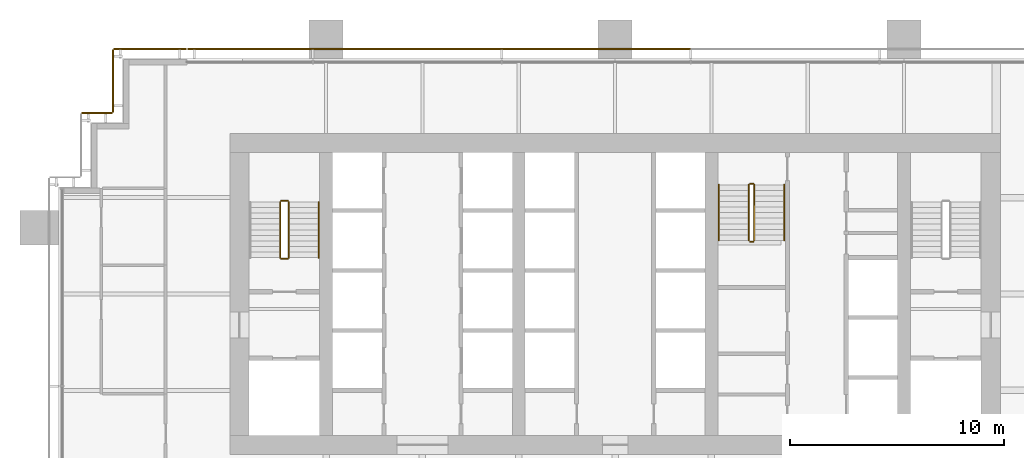
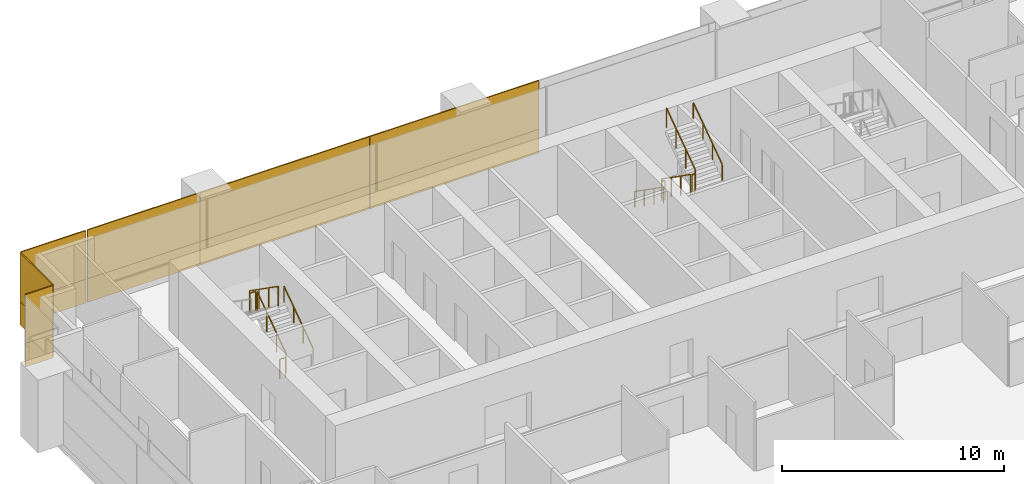
# One storey, part 18 of 19: 12 coverings, 11 railings.
"""IFC4 building model written with IfcOpenShell, lengths in metres."""

from ifc_helpers import new_model, si_unit, direction, frame, origin, origin_2d, place, context, subcontext, project, spatial, rectangle, extrude, material, layer, layer_set, type_object, element, save


model = new_model("IFC4")

# Units and contexts
model_context = context("Model", 3, precision=1e-05, world=origin(), true_north=direction((0.0, 1.0)))
body_context = subcontext(model_context, "Body", "Model", "MODEL_VIEW")
ifc_project = project(units=[si_unit("LENGTHUNIT", "METRE"), si_unit("AREAUNIT", "SQUARE_METRE"), si_unit("VOLUMEUNIT", "CUBIC_METRE"), si_unit("PLANEANGLEUNIT", "RADIAN"), si_unit("MASSUNIT", "GRAM", prefix="KILO")], contexts=[model_context])

# Site, building, storey
site_placement = place(None, origin())
site = spatial("IfcSite", under=ifc_project, at=site_placement, CompositionType="ELEMENT")
building_placement = place(site_placement, origin())
building = spatial("IfcBuilding", under=site, at=building_placement, Name="Rattan Terrace Tower", CompositionType="ELEMENT")
storey_placement = place(building_placement, frame((0.0, 0.0, 87.699951171875)))
storey = spatial("IfcBuildingStorey", under=building, at=storey_placement, Name="L19", CompositionType="ELEMENT", Elevation=87.699951171875)

# Railings
ifc_material_1 = material(Name="Powder-coated steel guard", Category="steel")
railing_type_1 = type_object("IfcRailingType", Name="Core stair guard", PredefinedType="GUARDRAIL", material=ifc_material_1)
railing_1_placement = place(storey_placement, frame((-15.25, 1.699951171875, 0.181884765625)))
element("IfcRailing", 1, at=railing_1_placement, inside=storey, type_object=railing_type_1, Name="L19 S1 stair guard 1", PredefinedType="GUARDRAIL", context=body_context, shape_type="SweptSolid", body=[
    extrude(rectangle(XDim=0.048095703125, YDim=0.048095703125, at=origin_2d()), frame((0.0, 0.0, 1.076171875), z_axis=(0.0, 0.819521025635, 0.573049115296), x_axis=(-1.0, 0.0, 0.0)), (0.0, 0.0, 1.0), 3.172607421875),
    extrude(rectangle(XDim=0.0419921875, YDim=0.0419921875, at=origin_2d()), origin(), (0.0, 0.0, 1.0), 1.052001953125),
    extrude(rectangle(XDim=0.0419921875, YDim=0.0419921875, at=origin_2d()), frame((0.0, 0.86669921875, 0.60595703125)), (0.0, 0.0, 1.0), 1.052001953125),
    extrude(rectangle(XDim=0.0419921875, YDim=0.0419921875, at=origin_2d()), frame((0.0, 1.7333984375, 1.212158203125)), (0.0, 0.0, 1.0), 1.052001953125),
    extrude(rectangle(XDim=0.0419921875, YDim=0.0419921875, at=origin_2d()), frame((0.0, 2.60009765625, 1.818115234375)), (0.0, 0.0, 1.0), 1.052001953125),
])
railing_2_placement = place(storey_placement, frame((-15.300048828125, 4.35009765625, 2.0)))
element("IfcRailing", 2, at=railing_2_placement, inside=storey, type_object=railing_type_1, Name="L19 S1 stair guard 2", PredefinedType="GUARDRAIL", context=body_context, shape_type="SweptSolid", body=[
    extrude(rectangle(XDim=0.048095703125, YDim=0.048095703125, at=origin_2d()), frame((0.0, 0.0, 1.076171875), z_axis=(-1.0, 0.0, 0.0), x_axis=(0.0, -1.0, 0.0)), (0.0, 0.0, 1.0), 0.300048828125),
    extrude(rectangle(XDim=0.0419921875, YDim=0.0419921875, at=origin_2d()), origin(), (0.0, 0.0, 1.0), 1.052001953125),
    extrude(rectangle(XDim=0.0419921875, YDim=0.0419921875, at=origin_2d()), frame((-0.300048828125, 0.0, 0.0)), (0.0, 0.0, 1.0), 1.052001953125),
])
railing_3_placement = place(storey_placement, frame((-15.64990234375, 4.300048828125, 2.181884765625)))
element("IfcRailing", 3, at=railing_3_placement, inside=storey, type_object=railing_type_1, Name="L19 S1 stair guard 3", PredefinedType="GUARDRAIL", context=body_context, shape_type="SweptSolid", body=[
    extrude(rectangle(XDim=0.048095703125, YDim=0.048095703125, at=origin_2d()), frame((0.0, 0.0, 1.076171875), z_axis=(0.0, -0.819521025635, 0.573049115296), x_axis=(1.0, 0.0, 0.0)), (0.0, 0.0, 1.0), 3.172607421875),
    extrude(rectangle(XDim=0.0419921875, YDim=0.0419921875, at=origin_2d()), origin(), (0.0, 0.0, 1.0), 1.052001953125),
    extrude(rectangle(XDim=0.0419921875, YDim=0.0419921875, at=origin_2d()), frame((0.0, -0.86669921875, 0.60595703125)), (0.0, 0.0, 1.0), 1.052001953125),
    extrude(rectangle(XDim=0.0419921875, YDim=0.0419921875, at=origin_2d()), frame((0.0, -1.7333984375, 1.212158203125)), (0.0, 0.0, 1.0), 1.052001953125),
    extrude(rectangle(XDim=0.0419921875, YDim=0.0419921875, at=origin_2d()), frame((0.0, -2.60009765625, 1.818115234375)), (0.0, 0.0, 1.0), 1.052001953125),
])
railing_4_placement = place(storey_placement, frame((-15.300048828125, 1.64990234375, 0.0)))
element("IfcRailing", 4, at=railing_4_placement, inside=storey, type_object=railing_type_1, Name="L19 S1 stair guard 4", PredefinedType="GUARDRAIL", context=body_context, shape_type="SweptSolid", body=[
    extrude(rectangle(XDim=0.048095703125, YDim=0.048095703125, at=origin_2d()), frame((0.0, 0.0, 1.076171875), z_axis=(-1.0, 0.0, 0.0), x_axis=(0.0, -1.0, 0.0)), (0.0, 0.0, 1.0), 0.300048828125),
    extrude(rectangle(XDim=0.0419921875, YDim=0.0419921875, at=origin_2d()), origin(), (0.0, 0.0, 1.0), 1.052001953125),
    extrude(rectangle(XDim=0.0419921875, YDim=0.0419921875, at=origin_2d()), frame((-0.300048828125, 0.0, 0.0)), (0.0, 0.0, 1.0), 1.052001953125),
])
railing_5_placement = place(storey_placement, frame((6.25, 5.10009765625, 0.181884765625)))
element("IfcRailing", 5, at=railing_5_placement, inside=storey, type_object=railing_type_1, Name="L19 S3 stair guard 1", PredefinedType="GUARDRAIL", context=body_context, shape_type="SweptSolid", body=[
    extrude(rectangle(XDim=0.048095703125, YDim=0.048095703125, at=origin_2d()), frame((0.0, 0.0, 1.076171875), z_axis=(0.0, -0.819521025635, 0.573049115296), x_axis=(1.0, 0.0, 0.0)), (0.0, 0.0, 1.0), 3.172607421875),
    extrude(rectangle(XDim=0.0419921875, YDim=0.0419921875, at=origin_2d()), origin(), (0.0, 0.0, 1.0), 1.052001953125),
    extrude(rectangle(XDim=0.0419921875, YDim=0.0419921875, at=origin_2d()), frame((0.0, -0.86669921875, 0.60595703125)), (0.0, 0.0, 1.0), 1.052001953125),
    extrude(rectangle(XDim=0.0419921875, YDim=0.0419921875, at=origin_2d()), frame((0.0, -1.7333984375, 1.212158203125)), (0.0, 0.0, 1.0), 1.052001953125),
    extrude(rectangle(XDim=0.0419921875, YDim=0.0419921875, at=origin_2d()), frame((0.0, -2.60009765625, 1.818115234375)), (0.0, 0.0, 1.0), 1.052001953125),
])
railing_6_placement = place(storey_placement, frame((6.300048828125, 2.449951171875, 2.0)))
element("IfcRailing", 6, at=railing_6_placement, inside=storey, type_object=railing_type_1, Name="L19 S3 stair guard 2", PredefinedType="GUARDRAIL", context=body_context, shape_type="SweptSolid", body=[
    extrude(rectangle(XDim=0.048095703125, YDim=0.048095703125, at=origin_2d()), frame((0.0, 0.0, 1.076171875), z_axis=(1.0, 0.0, 0.0), x_axis=(0.0, 1.0, 0.0)), (0.0, 0.0, 1.0), 0.14990234375),
    extrude(rectangle(XDim=0.0419921875, YDim=0.0419921875, at=origin_2d()), origin(), (0.0, 0.0, 1.0), 1.052001953125),
    extrude(rectangle(XDim=0.0419921875, YDim=0.0419921875, at=origin_2d()), frame((0.14990234375, 0.0, 0.0)), (0.0, 0.0, 1.0), 1.052001953125),
])
railing_7_placement = place(storey_placement, frame((6.5, 2.5, 2.181884765625)))
element("IfcRailing", 7, at=railing_7_placement, inside=storey, type_object=railing_type_1, Name="L19 S3 stair guard 3", PredefinedType="GUARDRAIL", context=body_context, shape_type="SweptSolid", body=[
    extrude(rectangle(XDim=0.048095703125, YDim=0.048095703125, at=origin_2d()), frame((0.0, 0.0, 1.076171875), z_axis=(0.0, 0.819521025635, 0.573049115296), x_axis=(-1.0, 0.0, 0.0)), (0.0, 0.0, 1.0), 3.172607421875),
    extrude(rectangle(XDim=0.0419921875, YDim=0.0419921875, at=origin_2d()), origin(), (0.0, 0.0, 1.0), 1.052001953125),
    extrude(rectangle(XDim=0.0419921875, YDim=0.0419921875, at=origin_2d()), frame((0.0, 0.86669921875, 0.60595703125)), (0.0, 0.0, 1.0), 1.052001953125),
    extrude(rectangle(XDim=0.0419921875, YDim=0.0419921875, at=origin_2d()), frame((0.0, 1.7333984375, 1.212158203125)), (0.0, 0.0, 1.0), 1.052001953125),
    extrude(rectangle(XDim=0.0419921875, YDim=0.0419921875, at=origin_2d()), frame((0.0, 2.60009765625, 1.818115234375)), (0.0, 0.0, 1.0), 1.052001953125),
])
railing_8_placement = place(storey_placement, frame((6.300048828125, 5.14990234375, 0.0)))
element("IfcRailing", 8, at=railing_8_placement, inside=storey, type_object=railing_type_1, Name="L19 S3 stair guard 4", PredefinedType="GUARDRAIL", context=body_context, shape_type="SweptSolid", body=[
    extrude(rectangle(XDim=0.048095703125, YDim=0.048095703125, at=origin_2d()), frame((0.0, 0.0, 1.076171875), z_axis=(1.0, 0.0, 0.0), x_axis=(0.0, 1.0, 0.0)), (0.0, 0.0, 1.0), 0.14990234375),
    extrude(rectangle(XDim=0.0419921875, YDim=0.0419921875, at=origin_2d()), origin(), (0.0, 0.0, 1.0), 1.052001953125),
    extrude(rectangle(XDim=0.0419921875, YDim=0.0419921875, at=origin_2d()), frame((0.14990234375, 0.0, 0.0)), (0.0, 0.0, 1.0), 1.052001953125),
])
ifc_material_2 = material(Name="Powder-coated steel handrail", Category="steel")
railing_type_2 = type_object("IfcRailingType", Name="Core stair handrail", PredefinedType="HANDRAIL", material=ifc_material_2)
railing_9_placement = place(storey_placement, frame((-13.85009765625, 1.699951171875, 0.181884765625)))
element("IfcRailing", 9, at=railing_9_placement, inside=storey, type_object=railing_type_2, Name="L19 S1 stair handrail 1", PredefinedType="HANDRAIL", context=body_context, shape_type="SweptSolid", body=[
    extrude(rectangle(XDim=0.048095703125, YDim=0.048095703125, at=origin_2d()), frame((0.0, 0.0, 0.8759765625), z_axis=(0.0, 0.819521025635, 0.573049115296), x_axis=(-1.0, 0.0, 0.0)), (0.0, 0.0, 1.0), 3.172607421875),
    extrude(rectangle(XDim=0.0419921875, YDim=0.0419921875, at=origin_2d()), origin(), (0.0, 0.0, 1.0), 0.851806640625),
    extrude(rectangle(XDim=0.0419921875, YDim=0.0419921875, at=origin_2d()), frame((0.0, 0.86669921875, 0.60595703125)), (0.0, 0.0, 1.0), 0.851806640625),
    extrude(rectangle(XDim=0.0419921875, YDim=0.0419921875, at=origin_2d()), frame((0.0, 1.7333984375, 1.212158203125)), (0.0, 0.0, 1.0), 0.851806640625),
    extrude(rectangle(XDim=0.0419921875, YDim=0.0419921875, at=origin_2d()), frame((0.0, 2.60009765625, 1.818115234375)), (0.0, 0.0, 1.0), 0.851806640625),
])
railing_10_placement = place(storey_placement, frame((4.85009765625, 5.10009765625, 0.181884765625)))
element("IfcRailing", 10, at=railing_10_placement, inside=storey, type_object=railing_type_2, Name="L19 S3 stair handrail 1", PredefinedType="HANDRAIL", context=body_context, shape_type="SweptSolid", body=[
    extrude(rectangle(XDim=0.048095703125, YDim=0.048095703125, at=origin_2d()), frame((0.0, 0.0, 0.8759765625), z_axis=(0.0, -0.819521025635, 0.573049115296), x_axis=(1.0, 0.0, 0.0)), (0.0, 0.0, 1.0), 3.172607421875),
    extrude(rectangle(XDim=0.0419921875, YDim=0.0419921875, at=origin_2d()), origin(), (0.0, 0.0, 1.0), 0.851806640625),
    extrude(rectangle(XDim=0.0419921875, YDim=0.0419921875, at=origin_2d()), frame((0.0, -0.86669921875, 0.60595703125)), (0.0, 0.0, 1.0), 0.851806640625),
    extrude(rectangle(XDim=0.0419921875, YDim=0.0419921875, at=origin_2d()), frame((0.0, -1.7333984375, 1.212158203125)), (0.0, 0.0, 1.0), 0.851806640625),
    extrude(rectangle(XDim=0.0419921875, YDim=0.0419921875, at=origin_2d()), frame((0.0, -2.60009765625, 1.818115234375)), (0.0, 0.0, 1.0), 0.851806640625),
])
railing_11_placement = place(storey_placement, frame((7.89990234375, 2.5, 2.181884765625)))
element("IfcRailing", 11, at=railing_11_placement, inside=storey, type_object=railing_type_2, Name="L19 S3 stair handrail 2", PredefinedType="HANDRAIL", context=body_context, shape_type="SweptSolid", body=[
    extrude(rectangle(XDim=0.048095703125, YDim=0.048095703125, at=origin_2d()), frame((0.0, 0.0, 0.8759765625), z_axis=(0.0, 0.819521025635, 0.573049115296), x_axis=(-1.0, 0.0, 0.0)), (0.0, 0.0, 1.0), 3.172607421875),
    extrude(rectangle(XDim=0.0419921875, YDim=0.0419921875, at=origin_2d()), origin(), (0.0, 0.0, 1.0), 0.851806640625),
    extrude(rectangle(XDim=0.0419921875, YDim=0.0419921875, at=origin_2d()), frame((0.0, 0.86669921875, 0.60595703125)), (0.0, 0.0, 1.0), 0.851806640625),
    extrude(rectangle(XDim=0.0419921875, YDim=0.0419921875, at=origin_2d()), frame((0.0, 1.7333984375, 1.212158203125)), (0.0, 0.0, 1.0), 0.851806640625),
    extrude(rectangle(XDim=0.0419921875, YDim=0.0419921875, at=origin_2d()), frame((0.0, 2.60009765625, 1.818115234375)), (0.0, 0.0, 1.0), 0.851806640625),
])

# Coverings
ifc_material_3 = material(Name="Solid terracotta", Category="masonry")
ifc_layer_1 = layer(ifc_material_3, 0.06005859375)
ifc_layer_set_1 = layer_set([ifc_layer_1], Name="Facade Terracotta Band Panel")
covering_type_1 = type_object("IfcCoveringType", Name="Facade Terracotta Band Panel", PredefinedType="CLADDING", material=ifc_layer_set_1)
for number, where, z_axis, x_axis, name in (
    (12, (-0.880615234375, 11.449951171875, -0.18994140625), (0.0, 0.0, 1.0), (-1.0, 0.0, 0.0), "OUTER SKIN panel L19-18A"),
    (13, (-9.70361328125, 11.449951171875, -0.18994140625), (0.0, 0.0, 1.0), (-1.0, 0.0, 0.0), "OUTER SKIN panel L19-19A"),
):
    element("IfcCovering", number, at=place(storey_placement, frame(where, z_axis=z_axis, x_axis=x_axis)), inside=storey, type_object=covering_type_1, Name=name, PredefinedType="CLADDING", context=body_context, shape_type="SweptSolid", body=[
        extrude(rectangle(XDim=8.802978515625, YDim=0.06005859375, at=origin_2d()), origin(), (0.0, 0.0, 1.0), 1.300048828125),
    ])
covering_1_placement = place(storey_placement, frame((-17.04248046875, 11.449951171875, -0.18994140625), z_axis=(0.0, 0.0, 1.0), x_axis=(-1.0, 0.0, 0.0)))
element("IfcCovering", 14, at=covering_1_placement, inside=storey, type_object=covering_type_1, Name="OUTER SKIN panel L19-20A", PredefinedType="CLADDING", context=body_context, shape_type="SweptSolid", body=[
    extrude(rectangle(XDim=5.8349609375, YDim=0.06005859375, at=origin_2d()), origin(), (0.0, 0.0, 1.0), 1.300048828125),
])
covering_2_placement = place(storey_placement, frame((-21.72509765625, 11.449951171875, -0.18994140625), z_axis=(0.0, 0.0, 1.0), x_axis=(-1.0, 0.0, 0.0)))
element("IfcCovering", 15, at=covering_2_placement, inside=storey, type_object=covering_type_1, Name="OUTER SKIN panel L19-21A", PredefinedType="CLADDING", context=body_context, shape_type="SweptSolid", body=[
    extrude(rectangle(XDim=3.3701171875, YDim=0.06005859375, at=origin_2d()), origin(), (0.0, 0.0, 1.0), 1.300048828125),
])
covering_3_placement = place(storey_placement, frame((-23.449951171875, 9.949951171875, -0.18994140625), z_axis=(0.0, 0.0, 1.0), x_axis=(0.0, -1.0, 0.0)))
element("IfcCovering", 16, at=covering_3_placement, inside=storey, type_object=covering_type_1, Name="OUTER SKIN panel L19-22A", PredefinedType="CLADDING", context=body_context, shape_type="SweptSolid", body=[
    extrude(rectangle(XDim=2.919921875, YDim=0.06005859375, at=origin_2d()), origin(), (0.0, 0.0, 1.0), 1.300048828125),
])
covering_4_placement = place(storey_placement, frame((-24.199951171875, 8.449951171875, -0.18994140625), z_axis=(0.0, 0.0, 1.0), x_axis=(-1.0, 0.0, 0.0)))
element("IfcCovering", 17, at=covering_4_placement, inside=storey, type_object=covering_type_1, Name="OUTER SKIN panel L19-23A", PredefinedType="CLADDING", context=body_context, shape_type="SweptSolid", body=[
    extrude(rectangle(XDim=1.419921875, YDim=0.06005859375, at=origin_2d()), origin(), (0.0, 0.0, 1.0), 1.300048828125),
])
ifc_material_4 = material(Name="Perforated terracotta", Category="masonry")
ifc_layer_2 = layer(ifc_material_4, 0.06005859375)
ifc_layer_set_2 = layer_set([ifc_layer_2], Name="Facade Terracotta Screen Panel")
covering_type_2 = type_object("IfcCoveringType", Name="Facade Terracotta Screen Panel", PredefinedType="CLADDING", material=ifc_layer_set_2)
for number, where, z_axis, x_axis, name in (
    (18, (-0.880615234375, 11.449951171875, 1.10986328125), (0.0, 0.0, 1.0), (-1.0, 0.0, 0.0), "OUTER SKIN panel L19-18B"),
    (19, (-9.70361328125, 11.449951171875, 1.10986328125), (0.0, 0.0, 1.0), (-1.0, 0.0, 0.0), "OUTER SKIN panel L19-19B"),
):
    element("IfcCovering", number, at=place(storey_placement, frame(where, z_axis=z_axis, x_axis=x_axis)), inside=storey, type_object=covering_type_2, Name=name, PredefinedType="CLADDING", context=body_context, shape_type="SweptSolid", body=[
        extrude(rectangle(XDim=8.802978515625, YDim=0.06005859375, at=origin_2d()), origin(), (0.0, 0.0, 1.0), 2.679931640625),
    ])
covering_5_placement = place(storey_placement, frame((-17.04248046875, 11.449951171875, 1.10986328125), z_axis=(0.0, 0.0, 1.0), x_axis=(-1.0, 0.0, 0.0)))
element("IfcCovering", 20, at=covering_5_placement, inside=storey, type_object=covering_type_2, Name="OUTER SKIN panel L19-20B", PredefinedType="CLADDING", context=body_context, shape_type="SweptSolid", body=[
    extrude(rectangle(XDim=5.8349609375, YDim=0.06005859375, at=origin_2d()), origin(), (0.0, 0.0, 1.0), 2.679931640625),
])
covering_6_placement = place(storey_placement, frame((-21.72509765625, 11.449951171875, 1.10986328125), z_axis=(0.0, 0.0, 1.0), x_axis=(-1.0, 0.0, 0.0)))
element("IfcCovering", 21, at=covering_6_placement, inside=storey, type_object=covering_type_2, Name="OUTER SKIN panel L19-21B", PredefinedType="CLADDING", context=body_context, shape_type="SweptSolid", body=[
    extrude(rectangle(XDim=3.3701171875, YDim=0.06005859375, at=origin_2d()), origin(), (0.0, 0.0, 1.0), 2.679931640625),
])
covering_7_placement = place(storey_placement, frame((-23.449951171875, 9.949951171875, 1.10986328125), z_axis=(0.0, 0.0, 1.0), x_axis=(0.0, -1.0, 0.0)))
element("IfcCovering", 22, at=covering_7_placement, inside=storey, type_object=covering_type_2, Name="OUTER SKIN panel L19-22B", PredefinedType="CLADDING", context=body_context, shape_type="SweptSolid", body=[
    extrude(rectangle(XDim=2.919921875, YDim=0.06005859375, at=origin_2d()), origin(), (0.0, 0.0, 1.0), 2.679931640625),
])
covering_8_placement = place(storey_placement, frame((-24.199951171875, 8.449951171875, 1.10986328125), z_axis=(0.0, 0.0, 1.0), x_axis=(-1.0, 0.0, 0.0)))
element("IfcCovering", 23, at=covering_8_placement, inside=storey, type_object=covering_type_2, Name="OUTER SKIN panel L19-23B", PredefinedType="CLADDING", context=body_context, shape_type="SweptSolid", body=[
    extrude(rectangle(XDim=1.419921875, YDim=0.06005859375, at=origin_2d()), origin(), (0.0, 0.0, 1.0), 2.679931640625),
])

save(model, "model.ifc")
